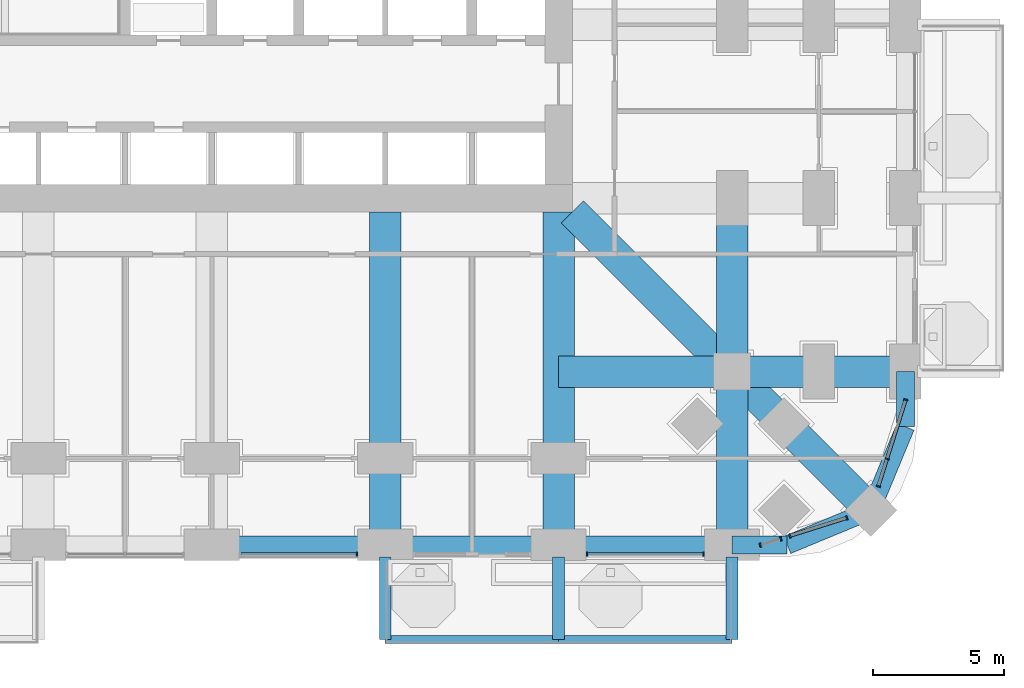
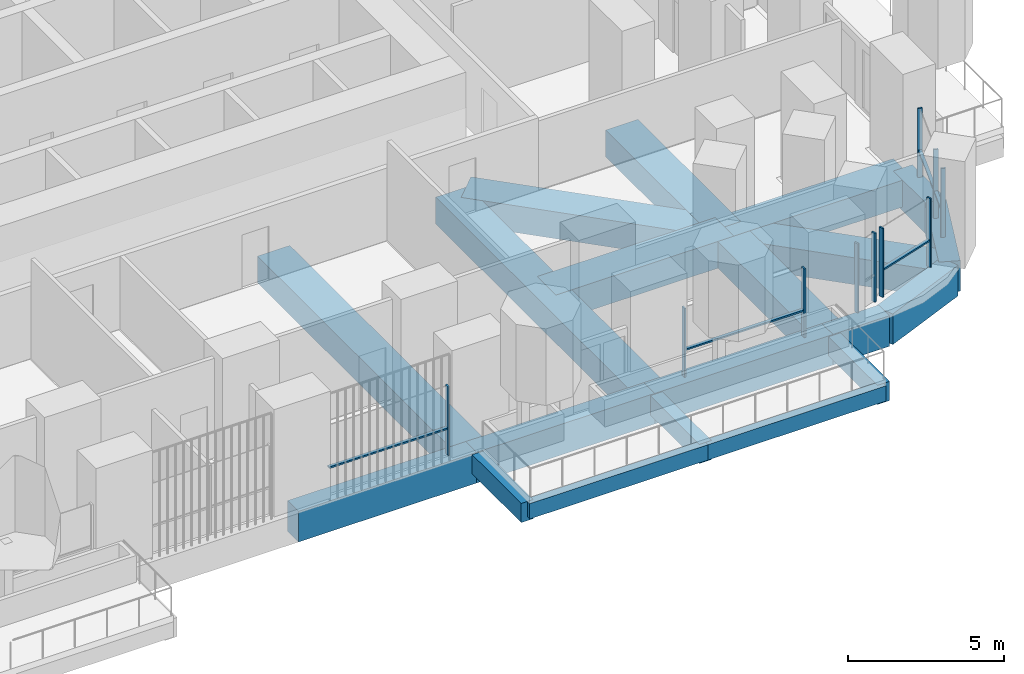
# One storey, part 5 of 27: 20 beams, 15 members, 5 elements without a shape of their own.
"""IFC4 building model written with IfcOpenShell, lengths in metres."""

from ifc_helpers import new_model, si_unit, direction, frame, origin, origin_2d, place, context, subcontext, project, spatial, rectangle, extrude, material, material_profile, profile_set, type_object, element, aggregate, save


model = new_model("IFC4")

# Units and contexts
model_context = context("Model", 3, precision=1e-05, world=origin(), true_north=direction((0.0, 1.0)))
body_context = subcontext(model_context, "Body", "Model", "MODEL_VIEW")
ifc_project = project(units=[si_unit("LENGTHUNIT", "METRE"), si_unit("AREAUNIT", "SQUARE_METRE"), si_unit("VOLUMEUNIT", "CUBIC_METRE"), si_unit("PLANEANGLEUNIT", "RADIAN"), si_unit("MASSUNIT", "GRAM", prefix="KILO")], contexts=[model_context])

# Site, building, storey
site_placement = place(None, origin())
site = spatial("IfcSite", under=ifc_project, at=site_placement, CompositionType="ELEMENT")
building_placement = place(site_placement, origin())
building = spatial("IfcBuilding", under=site, at=building_placement, Name="Cobogo Forest Laboratory Tower", CompositionType="ELEMENT")
storey_placement = place(building_placement, frame((0.0, 0.0, 38.10009765625)))
storey = spatial("IfcBuildingStorey", under=building, at=storey_placement, Name="L08", CompositionType="ELEMENT", Elevation=38.10009765625)

# Beams
ifc_material_1 = material(Name="Concrete HA-40 (C40/50)", Category="concrete")
ifc_material_profile_1 = material_profile(ifc_material_1, rectangle(XDim=0.449951171875, YDim=0.75, at=origin_2d()), Name="RC 450x750")
ifc_profile_set_1 = profile_set([ifc_material_profile_1], Name="Concrete HA-40 (C40/50)")
beam_type_1 = type_object("IfcBeamType", Name="Balcony cantilever beam 450x750", PredefinedType="BEAM", material=ifc_profile_set_1)
for number, where, z_axis, x_axis, name in (
    (1, (33.0, -0.449951171875, -0.625), (0.0, -1.0, 0.0), (1.0, 0.0, 0.0), "CB1 BAL-S2-C1 L08"),
    (2, (39.60009765625, -0.449951171875, -0.625), (0.0, -1.0, 0.0), (1.0, 0.0, 0.0), "CB1 BAL-S2-C2 L08"),
    (3, (46.199951171875, -0.449951171875, -0.625), (0.0, -1.0, 0.0), (1.0, 0.0, 0.0), "CB1 BAL-S2-C3 L08"),
):
    element("IfcBeam", number, at=place(storey_placement, frame(where, z_axis=z_axis, x_axis=x_axis)), inside=storey, type_object=beam_type_1, Name=name, PredefinedType="BEAM", context=body_context, shape_type="SweptSolid", body=[
        extrude(rectangle(XDim=0.449951171875, YDim=0.75, at=origin_2d()), origin(), (0.0, 0.0, 1.0), 3.150146484375),
    ])
ifc_material_profile_2 = material_profile(ifc_material_1, rectangle(XDim=0.300048828125, YDim=0.60009765625, at=origin_2d()), Name="RC 300x600")
ifc_profile_set_2 = profile_set([ifc_material_profile_2], Name="Concrete HA-40 (C40/50)")
beam_type_2 = type_object("IfcBeamType", Name="Balcony edge beam 300x600", PredefinedType="BEAM", material=ifc_profile_set_2)
beam_1_placement = place(storey_placement, frame((33.0, -3.60009765625, -0.550048828125), z_axis=(1.0, 0.0, 0.0), x_axis=(0.0, 1.0, 0.0)))
element("IfcBeam", 4, at=beam_1_placement, inside=storey, type_object=beam_type_2, Name="BB1 BAL-S2-T1 L08", PredefinedType="BEAM", context=body_context, shape_type="SweptSolid", body=[
    extrude(rectangle(XDim=0.300048828125, YDim=0.60009765625, at=origin_2d()), origin(), (0.0, 0.0, 1.0), 6.60009765625),
])
beam_2_placement = place(storey_placement, frame((39.60009765625, -3.60009765625, -0.550048828125), z_axis=(1.0, 0.0, 0.0), x_axis=(0.0, 1.0, 0.0)))
element("IfcBeam", 5, at=beam_2_placement, inside=storey, type_object=beam_type_2, Name="BB1 BAL-S2-T2 L08", PredefinedType="BEAM", context=body_context, shape_type="SweptSolid", body=[
    extrude(rectangle(XDim=0.300048828125, YDim=0.60009765625, at=origin_2d()), origin(), (0.0, 0.0, 1.0), 6.599853515625),
])
ifc_material_profile_3 = material_profile(ifc_material_1, rectangle(XDim=1.199951171875, YDim=1.050048828125, at=origin_2d()), Name="RC 1200x1050")
ifc_profile_set_3 = profile_set([ifc_material_profile_3], Name="Concrete HA-40 (C40/50)")
beam_type_3 = type_object("IfcBeamType", Name="Laboratory floor wide beam 1200x1050", PredefinedType="BEAM", material=ifc_profile_set_3)
for number, where, z_axis, x_axis, name in (
    (6, (33.0, 12.675048828125, -0.8251953125), (0.0, -1.0, 0.0), (1.0, 0.0, 0.0), "RB1 R-6-S L08"),
    (7, (39.60009765625, 12.675048828125, -0.8251953125), (0.0, -1.0, 0.0), (1.0, 0.0, 0.0), "RB1 R-7-S L08"),
):
    element("IfcBeam", number, at=place(storey_placement, frame(where, z_axis=z_axis, x_axis=x_axis)), inside=storey, type_object=beam_type_3, Name=name, PredefinedType="BEAM", context=body_context, shape_type="SweptSolid", body=[
        extrude(rectangle(XDim=1.199951171875, YDim=1.050048828125, at=origin_2d()), origin(), (0.0, 0.0, 1.0), 12.675048828125),
    ])
beam_3_placement = place(storey_placement, frame((46.199951171875, 0.0, -0.8251953125), z_axis=(0.0, 1.0, 0.0), x_axis=(-1.0, 0.0, 0.0)))
element("IfcBeam", 8, at=beam_3_placement, inside=storey, type_object=beam_type_3, Name="RB1 G-SE-XF L08", PredefinedType="BEAM", context=body_context, shape_type="SweptSolid", body=[
    extrude(rectangle(XDim=1.199951171875, YDim=1.050048828125, at=origin_2d()), origin(), (0.0, 0.0, 1.0), 6.60009765625),
])
beam_4_placement = place(storey_placement, frame((46.199951171875, 6.60009765625, -0.8251953125), z_axis=(0.0, 1.0, 0.0), x_axis=(-1.0, 0.0, 0.0)))
element("IfcBeam", 9, at=beam_4_placement, inside=storey, type_object=beam_type_3, Name="RB1 G-SE-XC L08", PredefinedType="BEAM", context=body_context, shape_type="SweptSolid", body=[
    extrude(rectangle(XDim=1.199951171875, YDim=1.050048828125, at=origin_2d()), origin(), (0.0, 0.0, 1.0), 6.599853515625),
])
beam_5_placement = place(storey_placement, frame((52.800048828125, 6.60009765625, -0.8251953125), z_axis=(-1.0, 0.0, 0.0), x_axis=(0.0, -1.0, 0.0)))
element("IfcBeam", 10, at=beam_5_placement, inside=storey, type_object=beam_type_3, Name="RB1 G-SE-YF L08", PredefinedType="BEAM", context=body_context, shape_type="SweptSolid", body=[
    extrude(rectangle(XDim=1.199951171875, YDim=1.050048828125, at=origin_2d()), origin(), (0.0, 0.0, 1.0), 6.60009765625),
])
beam_6_placement = place(storey_placement, frame((46.199951171875, 6.60009765625, -0.8251953125), z_axis=(-1.0, 0.0, 0.0), x_axis=(0.0, -1.0, 0.0)))
element("IfcBeam", 11, at=beam_6_placement, inside=storey, type_object=beam_type_3, Name="RB1 G-SE-YC L08", PredefinedType="BEAM", context=body_context, shape_type="SweptSolid", body=[
    extrude(rectangle(XDim=1.199951171875, YDim=1.050048828125, at=origin_2d()), origin(), (0.0, 0.0, 1.0), 6.599853515625),
])
beam_7_placement = place(storey_placement, frame((51.48193359375, 1.318115234375, -0.8251953125), z_axis=(-0.707106781187, 0.707106781187, 0.0), x_axis=(-0.707106781187, -0.707106781187, 0.0)))
element("IfcBeam", 12, at=beam_7_placement, inside=storey, type_object=beam_type_3, Name="RB1 G-SE-D1 L08", PredefinedType="BEAM", context=body_context, shape_type="SweptSolid", body=[
    extrude(rectangle(XDim=1.199951171875, YDim=1.050048828125, at=origin_2d()), origin(), (0.0, 0.0, 1.0), 7.469970703125),
])
beam_8_placement = place(storey_placement, frame((46.199951171875, 6.60009765625, -0.8251953125), z_axis=(-0.707106781187, 0.707106781187, 0.0), x_axis=(-0.707106781187, -0.707106781187, 0.0)))
element("IfcBeam", 13, at=beam_8_placement, inside=storey, type_object=beam_type_3, Name="RB1 G-SE-D2 L08", PredefinedType="BEAM", context=body_context, shape_type="SweptSolid", body=[
    extrude(rectangle(XDim=1.199951171875, YDim=1.050048828125, at=origin_2d()), origin(), (0.0, 0.0, 1.0), 8.59130859375),
])

# Curtain wall, member
ifc_material_2 = material(Name="Aluminium curtain wall", Category="aluminium")
curtain_wall_type = type_object("IfcCurtainWallType", Name="CW-1 unitised curtain wall, clear glazing, laboratory floors zones A and B", PredefinedType="USERDEFINED", material=ifc_material_2)
curtain_wall_1_placement = place(storey_placement, origin())
curtain_wall_1 = element("IfcCurtainWall", 14, at=curtain_wall_1_placement, inside=storey, type_object=curtain_wall_type, Name="Curtain wall 04 L08", ObjectType="UNITISED CURTAIN WALL", PredefinedType="USERDEFINED")
ifc_material_3 = material(Name="Aluminium mullion", Category="aluminium")
ifc_material_profile_4 = material_profile(ifc_material_3, rectangle(XDim=0.06005859375, YDim=0.159912109375, at=origin_2d()), Name="AL 60x160")
ifc_profile_set_4 = profile_set([ifc_material_profile_4], Name="Aluminium mullion")
member_type_1 = type_object("IfcMemberType", Name="MU-1 aluminium mullion 60x160", PredefinedType="MULLION", material=ifc_profile_set_4)
member_1_placement = place(storey_placement, frame((31.919921875, -0.35009765625, 0.0), z_axis=(0.0, 0.0, 1.0), x_axis=(1.0, 0.0, 0.0)))
member_1 = element("IfcMember", 15, at=member_1_placement, type_object=member_type_1, Name="CW-1 mullion 2", PredefinedType="MULLION", context=body_context, shape_type="SweptSolid", body=[
    extrude(rectangle(XDim=0.06005859375, YDim=0.159912109375, at=origin_2d()), origin(), (0.0, 0.0, 1.0), 2.699951171875),
])

# Curtain wall, members
curtain_wall_2_placement = place(storey_placement, origin())
curtain_wall_2 = element("IfcCurtainWall", 16, at=curtain_wall_2_placement, inside=storey, type_object=curtain_wall_type, Name="Curtain wall 06 L08", ObjectType="UNITISED CURTAIN WALL", PredefinedType="USERDEFINED")
member_2_placement = place(storey_placement, frame((40.679931640625, -0.35009765625, 0.0), z_axis=(0.0, 0.0, 1.0), x_axis=(1.0, 0.0, 0.0)))
member_2 = element("IfcMember", 17, at=member_2_placement, type_object=member_type_1, Name="CW-1 mullion 1", PredefinedType="MULLION", context=body_context, shape_type="SweptSolid", body=[
    extrude(rectangle(XDim=0.06005859375, YDim=0.159912109375, at=origin_2d()), origin(), (0.0, 0.0, 1.0), 2.699951171875),
])
member_3_placement = place(storey_placement, frame((45.1201171875, -0.35009765625, 0.0), z_axis=(0.0, 0.0, 1.0), x_axis=(1.0, 0.0, 0.0)))
member_3 = element("IfcMember", 18, at=member_3_placement, type_object=member_type_1, Name="CW-1 mullion 2", PredefinedType="MULLION", context=body_context, shape_type="SweptSolid", body=[
    extrude(rectangle(XDim=0.06005859375, YDim=0.159912109375, at=origin_2d()), origin(), (0.0, 0.0, 1.0), 2.699951171875),
])

curtain_wall_3_placement = place(storey_placement, origin())
curtain_wall_3 = element("IfcCurtainWall", 19, at=curtain_wall_3_placement, inside=storey, type_object=curtain_wall_type, Name="Curtain wall 07 L08", ObjectType="UNITISED CURTAIN WALL", PredefinedType="USERDEFINED")
member_4_placement = place(storey_placement, frame((47.278564453125, -0.00927734375, 0.0), z_axis=(0.0, 0.0, 1.0), x_axis=(0.953581504428, 0.301135043481, 0.0)))
member_4 = element("IfcMember", 20, at=member_4_placement, type_object=member_type_1, Name="CW-1 mullion 1", PredefinedType="MULLION", context=body_context, shape_type="SweptSolid", body=[
    extrude(rectangle(XDim=0.06005859375, YDim=0.159912109375, at=origin_2d()), origin(), (0.0, 0.0, 1.0), 2.699951171875),
])
member_5_placement = place(storey_placement, frame((48.05322265625, 0.2353515625, 0.0), z_axis=(0.0, 0.0, 1.0), x_axis=(0.953581504428, 0.301135043481, 0.0)))
member_5 = element("IfcMember", 21, at=member_5_placement, type_object=member_type_1, Name="CW-1 mullion 2", PredefinedType="MULLION", context=body_context, shape_type="SweptSolid", body=[
    extrude(rectangle(XDim=0.06005859375, YDim=0.159912109375, at=origin_2d()), origin(), (0.0, 0.0, 1.0), 2.699951171875),
])
aggregate(curtain_wall_3, [member_4, member_5])

curtain_wall_4_placement = place(storey_placement, origin())
curtain_wall_4 = element("IfcCurtainWall", 22, at=curtain_wall_4_placement, inside=storey, type_object=curtain_wall_type, Name="Curtain wall 08 L08", ObjectType="UNITISED CURTAIN WALL", PredefinedType="USERDEFINED")
member_6_placement = place(storey_placement, frame((48.403076171875, 0.345703125, 0.0), z_axis=(0.0, 0.0, 1.0), x_axis=(0.953581409645, 0.301135343623, 0.0)))
member_6 = element("IfcMember", 23, at=member_6_placement, type_object=member_type_1, Name="CW-1 mullion 1", PredefinedType="MULLION", context=body_context, shape_type="SweptSolid", body=[
    extrude(rectangle(XDim=0.06005859375, YDim=0.159912109375, at=origin_2d()), origin(), (0.0, 0.0, 1.0), 2.699951171875),
])
member_7_placement = place(storey_placement, frame((50.561279296875, 1.02734375, 0.0), z_axis=(0.0, 0.0, 1.0), x_axis=(0.953581409645, 0.301135343623, 0.0)))
member_7 = element("IfcMember", 24, at=member_7_placement, type_object=member_type_1, Name="CW-1 mullion 2", PredefinedType="MULLION", context=body_context, shape_type="SweptSolid", body=[
    extrude(rectangle(XDim=0.06005859375, YDim=0.159912109375, at=origin_2d()), origin(), (0.0, 0.0, 1.0), 2.699951171875),
])

curtain_wall_5_placement = place(storey_placement, origin())
curtain_wall_5 = element("IfcCurtainWall", 25, at=curtain_wall_5_placement, inside=storey, type_object=curtain_wall_type, Name="Curtain wall 09 L08", ObjectType="UNITISED CURTAIN WALL", PredefinedType="USERDEFINED")
member_8_placement = place(storey_placement, frame((51.772705078125, 2.23876953125, 0.0), z_axis=(0.0, 0.0, 1.0), x_axis=(0.30113535792, 0.95358140513, 0.0)))
member_8 = element("IfcMember", 26, at=member_8_placement, type_object=member_type_1, Name="CW-1 mullion 1", PredefinedType="MULLION", context=body_context, shape_type="SweptSolid", body=[
    extrude(rectangle(XDim=0.06005859375, YDim=0.159912109375, at=origin_2d()), origin(), (0.0, 0.0, 1.0), 2.699951171875),
])
member_9_placement = place(storey_placement, frame((52.100341796875, 3.27587890625, 0.0), z_axis=(0.0, 0.0, 1.0), x_axis=(0.30113535792, 0.95358140513, 0.0)))
member_9 = element("IfcMember", 27, at=member_9_placement, type_object=member_type_1, Name="CW-1 mullion 2", PredefinedType="MULLION", context=body_context, shape_type="SweptSolid", body=[
    extrude(rectangle(XDim=0.06005859375, YDim=0.159912109375, at=origin_2d()), origin(), (0.0, 0.0, 1.0), 2.699951171875),
])
member_10_placement = place(storey_placement, frame((52.809326171875, 5.521484375, 0.0), z_axis=(0.0, 0.0, 1.0), x_axis=(0.30113535792, 0.95358140513, 0.0)))
member_10 = element("IfcMember", 28, at=member_10_placement, type_object=member_type_1, Name="CW-1 mullion 3", PredefinedType="MULLION", context=body_context, shape_type="SweptSolid", body=[
    extrude(rectangle(XDim=0.06005859375, YDim=0.159912109375, at=origin_2d()), origin(), (0.0, 0.0, 1.0), 2.699951171875),
])

# Beams
ifc_material_profile_5 = material_profile(ifc_material_1, rectangle(XDim=0.699951171875, YDim=1.199951171875, at=origin_2d()), Name="RC 700x1200")
ifc_profile_set_5 = profile_set([ifc_material_profile_5], Name="Concrete HA-40 (C40/50)")
beam_type_4 = type_object("IfcBeamType", Name="Perimeter edge beam 700x1200", PredefinedType="BEAM", material=ifc_profile_set_5)
for number, where, z_axis, x_axis, name in (
    (29, (26.39990234375, 0.0, -0.900146484375), (1.0, 0.0, 0.0), (0.0, 1.0, 0.0), "EB1 E-S4 L08"),
    (30, (33.0, 0.0, -0.900146484375), (1.0, 0.0, 0.0), (0.0, 1.0, 0.0), "EB1 E-S5 L08"),
):
    element("IfcBeam", number, at=place(storey_placement, frame(where, z_axis=z_axis, x_axis=x_axis)), inside=storey, type_object=beam_type_4, Name=name, PredefinedType="BEAM", context=body_context, shape_type="SweptSolid", body=[
        extrude(rectangle(XDim=0.699951171875, YDim=1.199951171875, at=origin_2d()), origin(), (0.0, 0.0, 1.0), 6.60009765625),
    ])
beam_9_placement = place(storey_placement, frame((39.60009765625, 0.0, -0.900146484375), z_axis=(1.0, 0.0, 0.0), x_axis=(0.0, 1.0, 0.0)))
element("IfcBeam", 31, at=beam_9_placement, inside=storey, type_object=beam_type_4, Name="EB1 E-S6 L08", PredefinedType="BEAM", context=body_context, shape_type="SweptSolid", body=[
    extrude(rectangle(XDim=0.699951171875, YDim=1.199951171875, at=origin_2d()), origin(), (0.0, 0.0, 1.0), 6.599853515625),
])
beam_10_placement = place(storey_placement, frame((46.199951171875, 0.0, -0.900146484375), z_axis=(1.0, 0.0, 0.0), x_axis=(0.0, 1.0, 0.0)))
element("IfcBeam", 32, at=beam_10_placement, inside=storey, type_object=beam_type_4, Name="EB1 E-SES1 L08", PredefinedType="BEAM", context=body_context, shape_type="SweptSolid", body=[
    extrude(rectangle(XDim=0.699951171875, YDim=1.199951171875, at=origin_2d()), origin(), (0.0, 0.0, 1.0), 2.10009765625),
])
beam_11_placement = place(storey_placement, frame((48.300048828125, 0.0, -0.900146484375), z_axis=(0.923865631356, 0.382716990999, 0.0), x_axis=(-0.382716990999, 0.923865631356, 0.0)))
element("IfcBeam", 33, at=beam_11_placement, inside=storey, type_object=beam_type_4, Name="EB1 E-SES2 L08", PredefinedType="BEAM", context=body_context, shape_type="SweptSolid", body=[
    extrude(rectangle(XDim=0.699951171875, YDim=1.199951171875, at=origin_2d()), origin(), (0.0, 0.0, 1.0), 3.444091796875),
])
beam_12_placement = place(storey_placement, frame((52.800048828125, 6.60009765625, -0.900146484375), z_axis=(0.0, -1.0, 0.0), x_axis=(1.0, 0.0, 0.0)))
element("IfcBeam", 34, at=beam_12_placement, inside=storey, type_object=beam_type_4, Name="EB1 E-SEE1 L08", PredefinedType="BEAM", context=body_context, shape_type="SweptSolid", body=[
    extrude(rectangle(XDim=0.699951171875, YDim=1.199951171875, at=origin_2d()), origin(), (0.0, 0.0, 1.0), 2.10009765625),
])
beam_13_placement = place(storey_placement, frame((52.800048828125, 4.5, -0.900146484375), z_axis=(-0.382716990999, -0.923865631356, 0.0), x_axis=(0.923865631356, -0.382716990999, 0.0)))
element("IfcBeam", 35, at=beam_13_placement, inside=storey, type_object=beam_type_4, Name="EB1 E-SEE2 L08", PredefinedType="BEAM", context=body_context, shape_type="SweptSolid", body=[
    extrude(rectangle(XDim=0.699951171875, YDim=1.199951171875, at=origin_2d()), origin(), (0.0, 0.0, 1.0), 3.444091796875),
])

# Member
ifc_material_4 = material(Name="Aluminium transom", Category="aluminium")
ifc_material_profile_6 = material_profile(ifc_material_4, rectangle(XDim=0.1201171875, YDim=0.06005859375, at=origin_2d()), Name="AL 60x120")
ifc_profile_set_6 = profile_set([ifc_material_profile_6], Name="Aluminium transom")
member_type_2 = type_object("IfcMemberType", Name="TR-1 aluminium transom 60x120", PredefinedType="USERDEFINED", material=ifc_profile_set_6)
member_11_placement = place(storey_placement, frame((27.510009765625, -0.35009765625, 1.0498046875), z_axis=(1.0, 0.0, 0.0), x_axis=(0.0, 1.0, 0.0)))
member_11 = element("IfcMember", 36, at=member_11_placement, type_object=member_type_2, Name="CW-1 transom 1.1", ObjectType="TRANSOM", PredefinedType="USERDEFINED", context=body_context, shape_type="SweptSolid", body=[
    extrude(rectangle(XDim=0.1201171875, YDim=0.06005859375, at=origin_2d()), origin(), (0.0, 0.0, 1.0), 4.3798828125),
])

aggregate(curtain_wall_1, [member_1, member_11])

member_12_placement = place(storey_placement, frame((40.7099609375, -0.35009765625, 1.0498046875), z_axis=(1.0, 0.0, 0.0), x_axis=(0.0, 1.0, 0.0)))
member_12 = element("IfcMember", 37, at=member_12_placement, type_object=member_type_2, Name="CW-1 transom 1.1", ObjectType="TRANSOM", PredefinedType="USERDEFINED", context=body_context, shape_type="SweptSolid", body=[
    extrude(rectangle(XDim=0.1201171875, YDim=0.06005859375, at=origin_2d()), origin(), (0.0, 0.0, 1.0), 4.380126953125),
])

aggregate(curtain_wall_2, [member_2, member_3, member_12])

member_13_placement = place(storey_placement, frame((48.431640625, 0.354736328125, 1.0498046875), z_axis=(0.953572616955, 0.301163185322, 0.0), x_axis=(-0.301163185322, 0.953572616955, 0.0)))
member_13 = element("IfcMember", 38, at=member_13_placement, type_object=member_type_2, Name="CW-1 transom 1.1", ObjectType="TRANSOM", PredefinedType="USERDEFINED", context=body_context, shape_type="SweptSolid", body=[
    extrude(rectangle(XDim=0.1201171875, YDim=0.06005859375, at=origin_2d()), origin(), (0.0, 0.0, 1.0), 2.203369140625),
])

aggregate(curtain_wall_4, [member_6, member_7, member_13])

member_14_placement = place(storey_placement, frame((51.78173828125, 2.267333984375, 1.0498046875), z_axis=(0.301222320394, 0.953553938535, 0.0), x_axis=(-0.953553938535, 0.301222320394, 0.0)))
member_14 = element("IfcMember", 39, at=member_14_placement, type_object=member_type_2, Name="CW-1 transom 1.1", ObjectType="TRANSOM", PredefinedType="USERDEFINED", context=body_context, shape_type="SweptSolid", body=[
    extrude(rectangle(XDim=0.1201171875, YDim=0.06005859375, at=origin_2d()), origin(), (0.0, 0.0, 1.0), 1.02783203125),
])

member_15_placement = place(storey_placement, frame((52.109375, 3.304443359375, 1.0498046875), z_axis=(0.301090633022, 0.953595527835, 0.0), x_axis=(-0.953595527835, 0.301090633022, 0.0)))
member_15 = element("IfcMember", 40, at=member_15_placement, type_object=member_type_2, Name="CW-1 transom 2.1", ObjectType="TRANSOM", PredefinedType="USERDEFINED", context=body_context, shape_type="SweptSolid", body=[
    extrude(rectangle(XDim=0.1201171875, YDim=0.06005859375, at=origin_2d()), origin(), (0.0, 0.0, 1.0), 2.294677734375),
])

aggregate(curtain_wall_5, [member_8, member_9, member_10, member_14, member_15])

save(model, "model.ifc")
